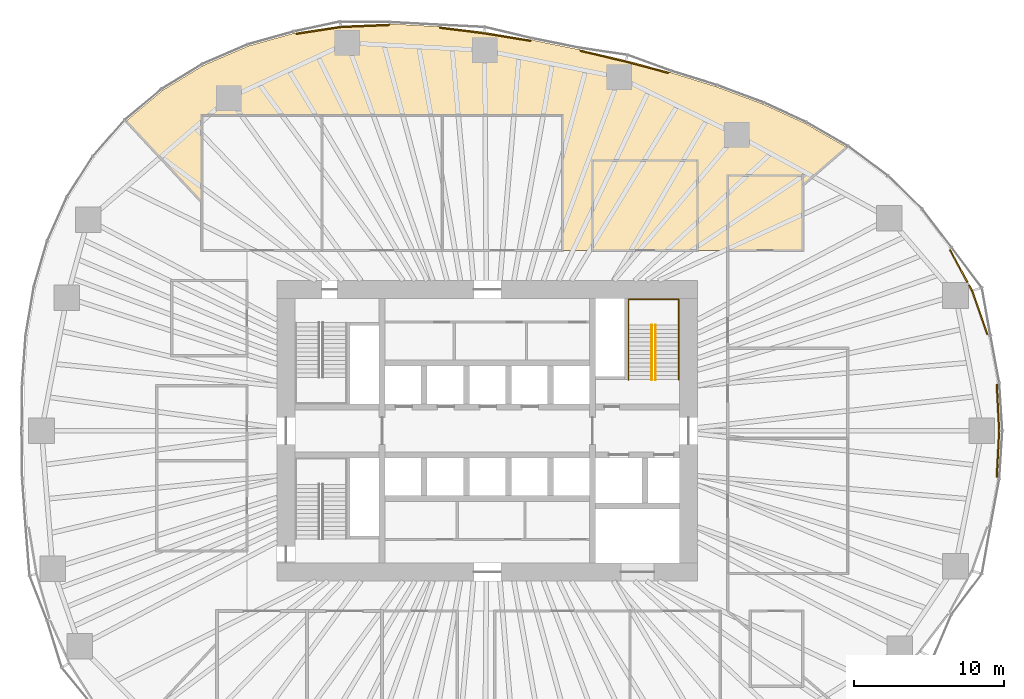
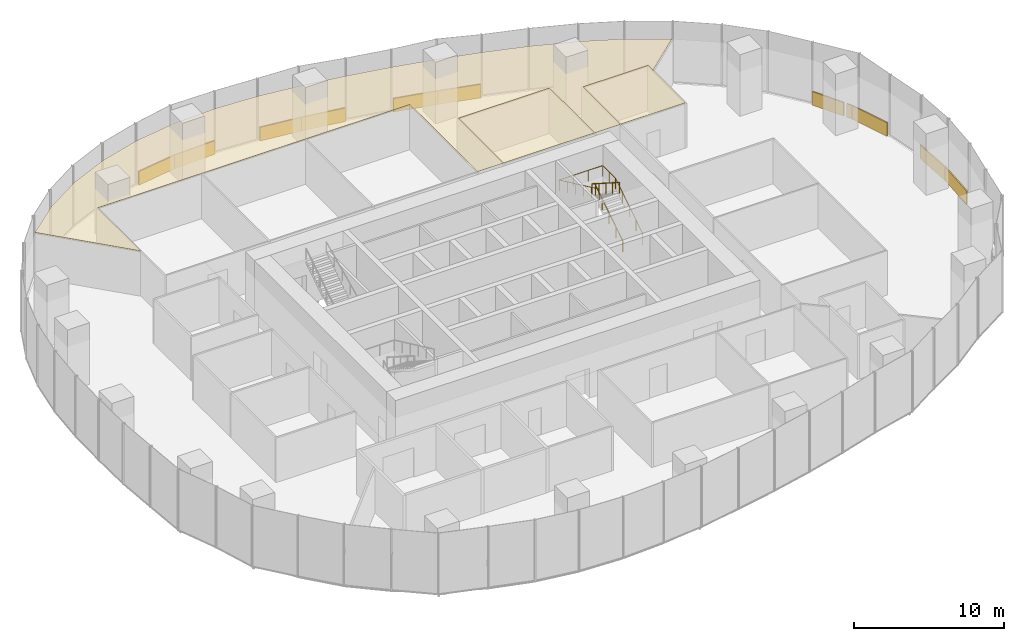
# One storey, part 20 of 20: 14 coverings, 3 railings.
"""IFC4 building model written with IfcOpenShell, lengths in metres."""

import ifcopenshell
import ifcopenshell.guid

model = None  # the IFC model being written
_history = None  # IfcOwnerHistory: only IFC2X3 demands one
_inside = {}  # id of a spatial element -> (the spatial element, [elements in it])
_under = {}  # id of a project, library or spatial element -> (it, [spatial elements below it])
_declared = {}  # id of a project -> (the project, [libraries it declares])
_typed = {}  # id of a type object -> (the type object, [elements of that type])
_made_of = {}  # id of a material, layer set ... -> (it, [elements and type objects made of it])


def new_model(schema):
    """Start an empty IFC model of exactly this schema.

    Asked for "IFC4X3", IfcOpenShell would pick the latest addendum, in which some entities
    have other attributes; the version numbers below select the first issue.
    IFC2X3 requires an IfcOwnerHistory on every rooted entity: one is made here for all.
    """
    global model, _history
    if schema == "IFC4X3":
        model = ifcopenshell.file(schema_version=(4, 3, 0, 0))
    else:
        model = ifcopenshell.file(schema=schema)
    _inside.clear()
    _under.clear()
    _declared.clear()
    _typed.clear()
    _made_of.clear()
    _history = None
    if model.schema == "IFC2X3":
        org = make("IfcOrganization", Name="unknown")
        user = make(
            "IfcPersonAndOrganization",
            ThePerson=make("IfcPerson", FamilyName="unknown"),
            TheOrganization=org,
        )
        app = make(
            "IfcApplication",
            ApplicationDeveloper=org,
            Version="unknown",
            ApplicationFullName="unknown",
            ApplicationIdentifier="unknown",
        )
        _history = make(
            "IfcOwnerHistory",
            OwningUser=user,
            OwningApplication=app,
            ChangeAction="ADDED",
            CreationDate=0,
        )
    return model


def make(cls, **values):
    """One entity of the class cls with the attributes given. An attribute that is None is left unset."""
    return model.create_entity(
        cls, **{name: value for name, value in values.items() if value is not None}
    )


def rooted(cls, **values):
    """An entity with a GlobalId (a new one), such as an element, a storey or a relation."""
    return make(cls, GlobalId=ifcopenshell.guid.new(), OwnerHistory=_history, **values)


def si_unit(unit_type, name, prefix=None):
    """IfcSIUnit, for example si_unit("LENGTHUNIT", "METRE", prefix="MILLI")."""
    return make("IfcSIUnit", UnitType=unit_type, Prefix=prefix, Name=name)


def assignment(units):
    """IfcUnitAssignment: the units of a project."""
    return None if units is None else make("IfcUnitAssignment", Units=units)


def point(xyz):
    """IfcCartesianPoint."""
    return None if xyz is None else make("IfcCartesianPoint", Coordinates=xyz)


def direction(xyz):
    """IfcDirection."""
    return None if xyz is None else make("IfcDirection", DirectionRatios=xyz)


def frame(location, z_axis=None, x_axis=None):
    """IfcAxis2Placement3D, a coordinate frame: its origin and axes. An axis left out is left unset."""
    return make(
        "IfcAxis2Placement3D",
        Location=point(location),
        Axis=direction(z_axis),
        RefDirection=direction(x_axis),
    )


def frame_2d(location, x_axis=None):
    """IfcAxis2Placement2D, a coordinate frame in the plane: its origin and x axis."""
    return make(
        "IfcAxis2Placement2D", Location=point(location), RefDirection=direction(x_axis)
    )


def origin():
    """The frame at (0, 0, 0) with its axes left unset."""
    return frame((0.0, 0.0, 0.0))


def origin_2d():
    """The frame at (0, 0) in the plane with its x axis left unset."""
    return frame_2d((0.0, 0.0))


def place(relative_to, where):
    """IfcLocalPlacement: puts the frame where relative to a parent placement (None: the world)."""
    return make(
        "IfcLocalPlacement", PlacementRelTo=relative_to, RelativePlacement=where
    )


def context(
    kind, dimensions, precision=None, world=None, true_north=None, identifier=None
):
    """IfcGeometricRepresentationContext, for example the 3D "Model" context."""
    return make(
        "IfcGeometricRepresentationContext",
        ContextIdentifier=identifier,
        ContextType=kind,
        CoordinateSpaceDimension=dimensions,
        Precision=precision,
        WorldCoordinateSystem=world,
        TrueNorth=true_north,
    )


def subcontext(parent, identifier, kind, view, scale=None):
    """IfcGeometricRepresentationSubContext, for example "Body" below "Model"."""
    return make(
        "IfcGeometricRepresentationSubContext",
        ContextIdentifier=identifier,
        ContextType=kind,
        ParentContext=parent,
        TargetScale=scale,
        TargetView=view,
    )


def project(units=None, contexts=None):
    """IfcProject with its units and contexts."""
    return rooted(
        "IfcProject",
        Name="project",
        RepresentationContexts=contexts,
        UnitsInContext=assignment(units),
    )


def spatial(cls, under=None, at=None, **own):
    """A site, building, storey or space (cls), placed at a placement, below another one or the project."""
    s = rooted(cls, ObjectPlacement=at, **own)
    if under is not None:
        _under.setdefault(under.id(), (under, []))[1].append(s)
    return s


def polyline(points):
    """IfcPolyline through the points."""
    return make("IfcPolyline", Points=[point(p) for p in points])


def profile(cls, at=None, kind="AREA", **sizes):
    """A parametric profile (cls). Its sizes go by their IFC names, for example OverallWidth=200.0."""
    return make(cls, ProfileType=kind, Position=at, **sizes)


def rectangle(**sizes):
    """IfcRectangleProfileDef."""
    return profile("IfcRectangleProfileDef", **sizes)


def circle(**sizes):
    """IfcCircleProfileDef."""
    return profile("IfcCircleProfileDef", **sizes)


def outline(outer, holes=None, kind="AREA"):
    """IfcArbitraryClosedProfileDef: a profile drawn as a closed curve; with holes, ...WithVoids."""
    if holes is None:
        return make("IfcArbitraryClosedProfileDef", ProfileType=kind, OuterCurve=outer)
    return make(
        "IfcArbitraryProfileDefWithVoids",
        ProfileType=kind,
        OuterCurve=outer,
        InnerCurves=holes,
    )


def extrude(swept, where, along, depth):
    """IfcExtrudedAreaSolid: the profile swept, set in the frame where, extruded along a direction by depth."""
    return make(
        "IfcExtrudedAreaSolid",
        SweptArea=swept,
        Position=where,
        ExtrudedDirection=direction(along),
        Depth=depth,
    )


def shape(context_of_items, identifier, shape_type, items):
    """IfcShapeRepresentation: the items that make up one representation, for example the "Body"."""
    return make(
        "IfcShapeRepresentation",
        ContextOfItems=context_of_items,
        RepresentationIdentifier=identifier,
        RepresentationType=shape_type,
        Items=items,
    )


def material(Name=None, Category=None):
    """IfcMaterial."""
    return make("IfcMaterial", Name=Name, Category=Category)


def layer(
    of_material, thickness, ventilated=None, Name=None, Category=None, Priority=None
):
    """IfcMaterialLayer: one layer of a wall or slab, of a material (None: an air gap)."""
    return make(
        "IfcMaterialLayer",
        Material=of_material,
        LayerThickness=thickness,
        IsVentilated=ventilated,
        Name=Name,
        Category=Category,
        Priority=Priority,
    )


def layer_set(layers, Name=None):
    """IfcMaterialLayerSet."""
    return make("IfcMaterialLayerSet", MaterialLayers=layers, LayerSetName=Name)


def made_of(thing, what):
    """Note that an element or type object is made of a material, layer set ...; save() writes the relation."""
    if what is not None:
        _made_of.setdefault(what.id(), (what, []))[1].append(thing)
    return thing


def type_object(cls, material=None, **own):
    """A type object (cls), such as IfcWallType, which elements share."""
    return made_of(rooted(cls, **own), material)


def element(
    cls,
    number,
    at=None,
    inside=None,
    cuts=None,
    type_object=None,
    material=None,
    context=None,
    identifier="Body",
    shape_type=None,
    held_by="IfcProductDefinitionShape",
    body=None,
    shapes=None,
    **own,
):
    """One element of the class cls, such as IfcWall. Its Tag is "e" and its number.

    at: its placement. inside: the storey or other place that contains it. cuts: it is an
    opening in that element (IfcRelVoidsElement). A single representation is given by context,
    identifier, shape_type and body (its items); several are given by shapes. held_by: the class
    of the entity that holds the representations. save() writes the other relations.
    """
    e = rooted(cls, Tag="e%d" % number, ObjectPlacement=at, **own)
    if body is not None:
        shapes = [shape(context, identifier, shape_type, body)]
    if shapes is not None:
        e.Representation = make(held_by, Representations=shapes)
    if inside is not None:
        _inside.setdefault(inside.id(), (inside, []))[1].append(e)
    if cuts is not None:
        rooted(
            "IfcRelVoidsElement", RelatingBuildingElement=cuts, RelatedOpeningElement=e
        )
    if type_object is not None:
        _typed.setdefault(type_object.id(), (type_object, []))[1].append(e)
    return made_of(e, material)


def aggregate(whole, parts):
    """IfcRelAggregates: a whole, such as a stair, and the parts it consists of."""
    return rooted("IfcRelAggregates", RelatingObject=whole, RelatedObjects=parts)


def save(model, path):
    """Write the relations noted so far, then the file.

    IfcRelAggregates (storeys below a building ...), IfcRelContainedInSpatialStructure (elements
    in a storey), IfcRelDefinesByType, IfcRelAssociatesMaterial and IfcRelDeclares: one each for
    every whole, place, type object, material and project.
    """
    for whole, parts in _under.values():
        aggregate(whole, parts)
    for where, things in _inside.values():
        rooted(
            "IfcRelContainedInSpatialStructure",
            RelatedElements=things,
            RelatingStructure=where,
        )
    for kind, things in _typed.values():
        rooted("IfcRelDefinesByType", RelatedObjects=things, RelatingType=kind)
    for what, things in _made_of.values():
        rooted("IfcRelAssociatesMaterial", RelatedObjects=things, RelatingMaterial=what)
    for by, libraries in _declared.values():
        rooted("IfcRelDeclares", RelatingContext=by, RelatedDefinitions=libraries)
    model.write(path)


model = new_model("IFC4")

# Units and contexts
model_context = context("Model", 3, precision=1e-05, world=origin(), true_north=direction((0.0, 1.0)))
body_context = subcontext(model_context, "Body", "Model", "MODEL_VIEW")
ifc_project = project(units=[si_unit("LENGTHUNIT", "METRE"), si_unit("AREAUNIT", "SQUARE_METRE"), si_unit("VOLUMEUNIT", "CUBIC_METRE"), si_unit("PLANEANGLEUNIT", "RADIAN"), si_unit("MASSUNIT", "GRAM", prefix="KILO")], contexts=[model_context])

# Site, building, storey
site_placement = place(None, origin())
site = spatial("IfcSite", under=ifc_project, at=site_placement, CompositionType="ELEMENT")
building_placement = place(site_placement, origin())
building = spatial("IfcBuilding", under=site, at=building_placement, Name="Ghaith Harvest Tower", CompositionType="ELEMENT")
storey_placement = place(building_placement, frame((0.0, 0.0, 60.0)))
storey = spatial("IfcBuildingStorey", under=building, at=storey_placement, Name="L12", CompositionType="ELEMENT", Elevation=60.0)

# Coverings
ifc_material_1 = material(Name="Mineral fibre ceiling tile", Category="gypsum")
ifc_layer_1 = layer(ifc_material_1, 0.02490234375)
ifc_layer_set_1 = layer_set([ifc_layer_1], Name="CEILING C2")
covering_type_1 = type_object("IfcCoveringType", Name="CEILING C2", PredefinedType="CEILING", material=ifc_layer_set_1)
covering_1_placement = place(storey_placement, frame((0.0, 0.0, 3.60009765625)))
element("IfcCovering", 1, at=covering_1_placement, inside=storey, type_object=covering_type_1, Name="Ceiling L12-04", PredefinedType="CEILING", context=body_context, shape_type="SweptSolid", body=[
    extrude(outline(polyline([(7.0, 12.0), (14.0, 12.0), (14.0, 18.0), (7.0, 18.0), (7.0, 12.0)])), origin(), (0.0, 0.0, 1.0), 0.02490234375),
])
covering_2_placement = place(storey_placement, frame((0.0, 0.0, 3.60009765625)))
element("IfcCovering", 2, at=covering_2_placement, inside=storey, type_object=covering_type_1, Name="Ceiling L12-14", PredefinedType="CEILING", context=body_context, shape_type="SweptSolid", body=[
    extrude(outline(polyline([(16.0, 12.0), (21.0, 12.0), (21.0, 17.0), (16.0, 17.0), (16.0, 12.0)])), origin(), (0.0, 0.0, 1.0), 0.02490234375),
])
covering_3_placement = place(storey_placement, frame((0.0, 0.0, 3.60009765625)))
element("IfcCovering", 3, at=covering_3_placement, inside=storey, type_object=covering_type_1, Name="Ceiling L12-N1", PredefinedType="CEILING", context=body_context, shape_type="SweptSolid", body=[
    extrude(outline(polyline([(-21.59912109375, 22.671142578125), (-18.8935546875, 24.32763671875), (-15.907958984375, 25.614501953125), (-12.828125, 26.476806640625), (-9.733642578125, 26.949951171875), (-6.4375, 27.0849609375), (-3.24755859375, 26.91064453125), (-0.181396484375, 26.527099609375), (2.99560546875, 26.004150390625), (6.10888671875, 25.378662109375), (9.21533203125, 24.65087890625), (12.1796875, 23.857666015625), (15.22119140625, 22.916259765625), (18.34521484375, 21.7548828125), (21.149169921875, 20.469482421875), (23.92431640625, 18.873046875), (21.0, 16.336669921875), (21.0, 17.0), (16.0, 17.0), (16.0, 12.0), (14.0, 12.0), (14.0, 18.0), (7.0, 18.0), (7.0, 12.0), (5.0, 12.0), (5.0, 21.0), (-19.0, 21.0), (-19.0, 15.21240234375), (-24.04833984375, 20.618408203125), (-21.59912109375, 22.671142578125)])), origin(), (0.0, 0.0, 1.0), 0.02490234375),
])

# Railings
ifc_material_2 = material(Name="Steel, black powder-coated", Category="steel")
railing_type = type_object("IfcRailingType", Name="HANDRAIL HR1", PredefinedType="HANDRAIL", material=ifc_material_2)
railing_1_placement = place(storey_placement, frame((11.199951171875, 3.39990234375, 0.178466796875)))
element("IfcRailing", 4, at=railing_1_placement, inside=storey, type_object=railing_type, Name="Handrail HR1 stair ST2 L12 flight 1 inner", PredefinedType="HANDRAIL", context=body_context, shape_type="SweptSolid", body=[
    extrude(circle(Radius=0.02392578125, at=origin_2d()), frame((0.0, 0.0, 0.8759765625), z_axis=(0.0, 0.843127859045, 0.537713132908), x_axis=(-1.0, 0.0, 0.0)), (0.0, 0.0, 1.0), 4.3173828125),
    extrude(circle(Radius=0.02099609375, at=origin_2d()), origin(), (0.0, 0.0, 1.0), 0.851806640625),
    extrude(circle(Radius=0.02099609375, at=origin_2d()), frame((0.0, 0.91015625, 0.580322265625)), (0.0, 0.0, 1.0), 0.851806640625),
    extrude(circle(Radius=0.02099609375, at=origin_2d()), frame((0.0, 1.820068359375, 1.16064453125)), (0.0, 0.0, 1.0), 0.851806640625),
    extrude(circle(Radius=0.02099609375, at=origin_2d()), frame((0.0, 2.72998046875, 1.7412109375)), (0.0, 0.0, 1.0), 0.851806640625),
    extrude(circle(Radius=0.02099609375, at=origin_2d()), frame((0.0, 3.64013671875, 2.321533203125)), (0.0, 0.0, 1.0), 0.851806640625),
])
railing_2_placement = place(storey_placement, frame((10.949951171875, 7.0400390625, 2.678466796875)))
element("IfcRailing", 5, at=railing_2_placement, inside=storey, type_object=railing_type, Name="Handrail HR1 stair ST2 L12 flight 2 inner", PredefinedType="HANDRAIL", context=body_context, shape_type="SweptSolid", body=[
    extrude(circle(Radius=0.02392578125, at=origin_2d()), frame((0.0, 0.0, 0.8759765625), z_axis=(0.0, -0.843127859045, 0.537713132908), x_axis=(1.0, 0.0, 0.0)), (0.0, 0.0, 1.0), 4.3173828125),
    extrude(circle(Radius=0.02099609375, at=origin_2d()), origin(), (0.0, 0.0, 1.0), 0.851806640625),
    extrude(circle(Radius=0.02099609375, at=origin_2d()), frame((0.0, -0.91015625, 0.580322265625)), (0.0, 0.0, 1.0), 0.851806640625),
    extrude(circle(Radius=0.02099609375, at=origin_2d()), frame((0.0, -1.820068359375, 1.16064453125)), (0.0, 0.0, 1.0), 0.851806640625),
    extrude(circle(Radius=0.02099609375, at=origin_2d()), frame((0.0, -2.72998046875, 1.7412109375)), (0.0, 0.0, 1.0), 0.851806640625),
    extrude(circle(Radius=0.02099609375, at=origin_2d()), frame((0.0, -3.64013671875, 2.321533203125)), (0.0, 0.0, 1.0), 0.851806640625),
])
railing_3_placement = place(storey_placement, frame((12.75, 3.39990234375, 0.178466796875)))
element("IfcRailing", 6, at=railing_3_placement, inside=storey, type_object=railing_type, Name="Handrail HR1 stair ST2 L12 wall side", PredefinedType="HANDRAIL", context=body_context, shape_type="SweptSolid", body=[
    extrude(circle(Radius=0.02392578125, at=origin_2d()), frame((0.0, 0.0, 0.8759765625), z_axis=(0.0, 0.843127859045, 0.537713132908), x_axis=(-1.0, 0.0, 0.0)), (0.0, 0.0, 1.0), 4.3173828125),
    extrude(circle(Radius=0.02392578125, at=origin_2d()), frame((0.0, 3.64013671875, 3.197265625), z_axis=(0.0, 1.0, 0.0), x_axis=(-1.0, 0.0, 0.0)), (0.0, 0.0, 1.0), 1.7099609375),
    extrude(circle(Radius=0.02392578125, at=origin_2d()), frame((0.0, 5.35009765625, 3.197265625), z_axis=(-1.0, 0.0, 0.0), x_axis=(0.0, -1.0, 0.0)), (0.0, 0.0, 1.0), 3.35009765625),
    extrude(circle(Radius=0.02392578125, at=origin_2d()), frame((-3.35009765625, 5.35009765625, 3.197265625), z_axis=(0.0, -0.905969675553, 0.423342588193), x_axis=(1.0, 0.0, 0.0)), (0.0, 0.0, 1.0), 5.9052734375),
    extrude(circle(Radius=0.02099609375, at=origin_2d()), origin(), (0.0, 0.0, 1.0), 0.851806640625),
    extrude(circle(Radius=0.02099609375, at=origin_2d()), frame((0.0, 0.91015625, 0.580322265625)), (0.0, 0.0, 1.0), 0.851806640625),
    extrude(circle(Radius=0.02099609375, at=origin_2d()), frame((0.0, 1.820068359375, 1.16064453125)), (0.0, 0.0, 1.0), 0.851806640625),
    extrude(circle(Radius=0.02099609375, at=origin_2d()), frame((0.0, 2.72998046875, 1.7412109375)), (0.0, 0.0, 1.0), 0.851806640625),
    extrude(circle(Radius=0.02099609375, at=origin_2d()), frame((0.0, 3.64013671875, 2.321533203125)), (0.0, 0.0, 1.0), 0.851806640625),
    extrude(circle(Radius=0.02099609375, at=origin_2d()), frame((0.0, 4.4951171875, 2.321533203125)), (0.0, 0.0, 1.0), 0.851806640625),
    extrude(circle(Radius=0.02099609375, at=origin_2d()), frame((0.0, 5.35009765625, 2.321533203125)), (0.0, 0.0, 1.0), 0.851806640625),
    extrude(circle(Radius=0.02099609375, at=origin_2d()), frame((-1.11669921875, 5.35009765625, 2.321533203125)), (0.0, 0.0, 1.0), 0.851806640625),
    extrude(circle(Radius=0.02099609375, at=origin_2d()), frame((-2.2333984375, 5.35009765625, 2.321533203125)), (0.0, 0.0, 1.0), 0.851806640625),
    extrude(circle(Radius=0.02099609375, at=origin_2d()), frame((-3.35009765625, 5.35009765625, 2.321533203125)), (0.0, 0.0, 1.0), 0.851806640625),
    extrude(circle(Radius=0.02099609375, at=origin_2d()), frame((-3.35009765625, 4.280029296875, 2.821533203125)), (0.0, 0.0, 1.0), 0.851806640625),
    extrude(circle(Radius=0.02099609375, at=origin_2d()), frame((-3.35009765625, 3.2099609375, 3.321533203125)), (0.0, 0.0, 1.0), 0.851806640625),
    extrude(circle(Radius=0.02099609375, at=origin_2d()), frame((-3.35009765625, 2.14013671875, 3.821533203125)), (0.0, 0.0, 1.0), 0.851806640625),
    extrude(circle(Radius=0.02099609375, at=origin_2d()), frame((-3.35009765625, 1.070068359375, 4.321533203125)), (0.0, 0.0, 1.0), 0.851806640625),
    extrude(circle(Radius=0.02099609375, at=origin_2d()), frame((-3.35009765625, 0.0, 4.821533203125)), (0.0, 0.0, 1.0), 0.851806640625),
])

# Coverings
ifc_material_3 = material(Name="Insulated aluminium spandrel panel on steel framing", Category="steel")
ifc_layer_2 = layer(ifc_material_3, 0.10009765625)
ifc_layer_set_2 = layer_set([ifc_layer_2], Name="SLAB EDGE UPSTAND 1100x100")
covering_type_2 = type_object("IfcCoveringType", Name="SLAB EDGE UPSTAND 1100x100", PredefinedType="CLADDING", material=ifc_layer_set_2)
covering_4_placement = place(storey_placement, frame((33.994384765625, 1.54443359375, 0.0), z_axis=(0.0, 0.0, 1.0), x_axis=(-0.052048501689, 0.998644558125, 0.0)))
element("IfcCovering", 7, at=covering_4_placement, inside=storey, type_object=covering_type_2, Name="Slab edge upstand 1 bay 01 L12", PredefinedType="CLADDING", context=body_context, shape_type="SweptSolid", body=[
    extrude(rectangle(XDim=3.098388671875, YDim=0.10009765625, at=origin_2d()), origin(), (0.0, 0.0, 1.0), 1.10009765625),
])
covering_5_placement = place(storey_placement, frame((32.78125, 7.867919921875, 0.0), z_axis=(0.0, 0.0, 1.0), x_axis=(-0.330597697022, 0.943771774702, 0.0)))
element("IfcCovering", 8, at=covering_5_placement, inside=storey, type_object=covering_type_2, Name="Slab edge upstand 3 bay 01 L12", PredefinedType="CLADDING", context=body_context, shape_type="SweptSolid", body=[
    extrude(rectangle(XDim=3.0859375, YDim=0.10009765625, at=origin_2d()), origin(), (0.0, 0.0, 1.0), 1.10009765625),
])
covering_6_placement = place(storey_placement, frame((32.172119140625, 9.505615234375, 0.0), z_axis=(0.0, 0.0, 1.0), x_axis=(-0.476349292539, 0.87925613532, 0.0)))
element("IfcCovering", 9, at=covering_6_placement, inside=storey, type_object=covering_type_2, Name="Slab edge upstand 1 bay 02 L12", PredefinedType="CLADDING", context=body_context, shape_type="SweptSolid", body=[
    extrude(rectangle(XDim=0.42919921875, YDim=0.10009765625, at=origin_2d()), origin(), (0.0, 0.0, 1.0), 1.10009765625),
])
covering_7_placement = place(storey_placement, frame((31.3759765625, 10.9755859375, 0.0), z_axis=(0.0, 0.0, 1.0), x_axis=(-0.476349292539, 0.87925613532, 0.0)))
element("IfcCovering", 10, at=covering_7_placement, inside=storey, type_object=covering_type_2, Name="Slab edge upstand 1 bay 02 L12", PredefinedType="CLADDING", context=body_context, shape_type="SweptSolid", body=[
    extrude(rectangle(XDim=2.46484375, YDim=0.10009765625, at=origin_2d()), origin(), (0.0, 0.0, 1.0), 1.10009765625),
])
covering_8_placement = place(storey_placement, frame((10.63623046875, 24.218994140625, 0.0), z_axis=(0.0, 0.0, 1.0), x_axis=(-0.9660243418, 0.258451099919, 0.0)))
element("IfcCovering", 11, at=covering_8_placement, inside=storey, type_object=covering_type_2, Name="Slab edge upstand 3 bay 04 L12", PredefinedType="CLADDING", context=body_context, shape_type="SweptSolid", body=[
    extrude(rectangle(XDim=2.968505859375, YDim=0.10009765625, at=origin_2d()), origin(), (0.0, 0.0, 1.0), 1.10009765625),
])
covering_9_placement = place(storey_placement, frame((7.699462890625, 24.95458984375, 0.0), z_axis=(0.0, 0.0, 1.0), x_axis=(-0.973634089594, 0.228115452305, 0.0)))
element("IfcCovering", 12, at=covering_9_placement, inside=storey, type_object=covering_type_2, Name="Slab edge upstand 1 bay 05 L12", PredefinedType="CLADDING", context=body_context, shape_type="SweptSolid", body=[
    extrude(rectangle(XDim=3.090576171875, YDim=0.10009765625, at=origin_2d()), origin(), (0.0, 0.0, 1.0), 1.10009765625),
])
covering_10_placement = place(storey_placement, frame((1.349609375, 26.224365234375, 0.0), z_axis=(0.0, 0.0, 1.0), x_axis=(-0.986716247541, 0.162453214305, 0.0)))
element("IfcCovering", 13, at=covering_10_placement, inside=storey, type_object=covering_type_2, Name="Slab edge upstand 3 bay 05 L12", PredefinedType="CLADDING", context=body_context, shape_type="SweptSolid", body=[
    extrude(rectangle(XDim=3.119873046875, YDim=0.10009765625, at=origin_2d()), origin(), (0.0, 0.0, 1.0), 1.10009765625),
])
covering_11_placement = place(storey_placement, frame((-1.671142578125, 26.6630859375, 0.0), z_axis=(0.0, 0.0, 1.0), x_axis=(-0.99226486887, 0.124138753038, 0.0)))
element("IfcCovering", 14, at=covering_11_placement, inside=storey, type_object=covering_type_2, Name="Slab edge upstand 1 bay 06 L12", PredefinedType="CLADDING", context=body_context, shape_type="SweptSolid", body=[
    extrude(rectangle(XDim=2.98974609375, YDim=0.10009765625, at=origin_2d()), origin(), (0.0, 0.0, 1.0), 1.10009765625),
])
covering_12_placement = place(storey_placement, frame((-8.133544921875, 26.965576171875, 0.0), z_axis=(0.0, 0.0, 1.0), x_axis=(-0.999160890982, -0.040957464901, 0.0)))
element("IfcCovering", 15, at=covering_12_placement, inside=storey, type_object=covering_type_2, Name="Slab edge upstand 3 bay 06 L12", PredefinedType="CLADDING", context=body_context, shape_type="SweptSolid", body=[
    extrude(rectangle(XDim=3.198974609375, YDim=0.10009765625, at=origin_2d()), origin(), (0.0, 0.0, 1.0), 1.10009765625),
])
covering_13_placement = place(storey_placement, frame((-11.22412109375, 26.67138671875, 0.0), z_axis=(0.0, 0.0, 1.0), x_axis=(-0.988517924816, -0.1511036476, 0.0)))
element("IfcCovering", 16, at=covering_13_placement, inside=storey, type_object=covering_type_2, Name="Slab edge upstand 1 bay 07 L12", PredefinedType="CLADDING", context=body_context, shape_type="SweptSolid", body=[
    extrude(rectangle(XDim=3.030517578125, YDim=0.10009765625, at=origin_2d()), origin(), (0.0, 0.0, 1.0), 1.10009765625),
])
covering_14_placement = place(storey_placement, frame((33.994384765625, -1.54443359375, 0.0), z_axis=(0.0, 0.0, 1.0), x_axis=(0.052048501794, 0.998644558119, 0.0)))
element("IfcCovering", 17, at=covering_14_placement, inside=storey, type_object=covering_type_2, Name="Slab edge upstand 3 bay 20 L12", PredefinedType="CLADDING", context=body_context, shape_type="SweptSolid", body=[
    extrude(rectangle(XDim=3.098388671875, YDim=0.10009765625, at=origin_2d()), origin(), (0.0, 0.0, 1.0), 1.10009765625),
])

save(model, "model.ifc")
